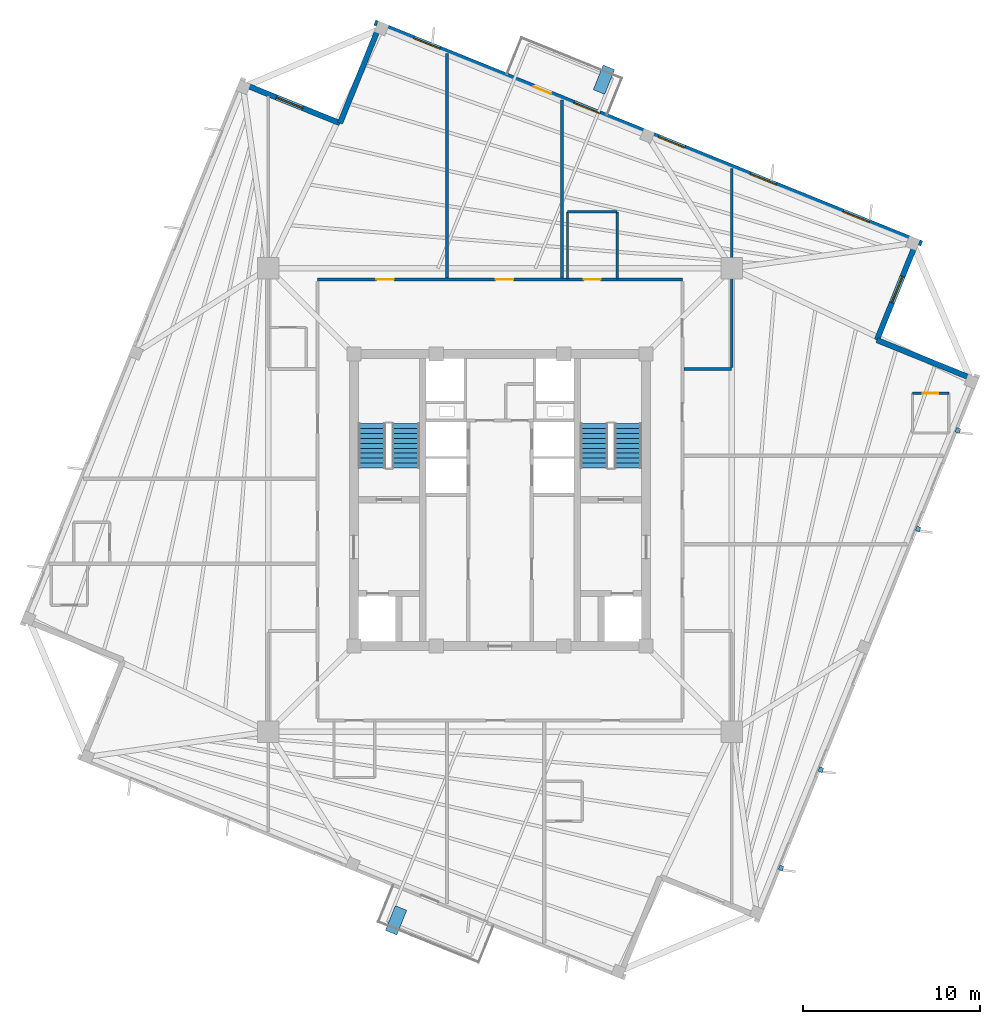
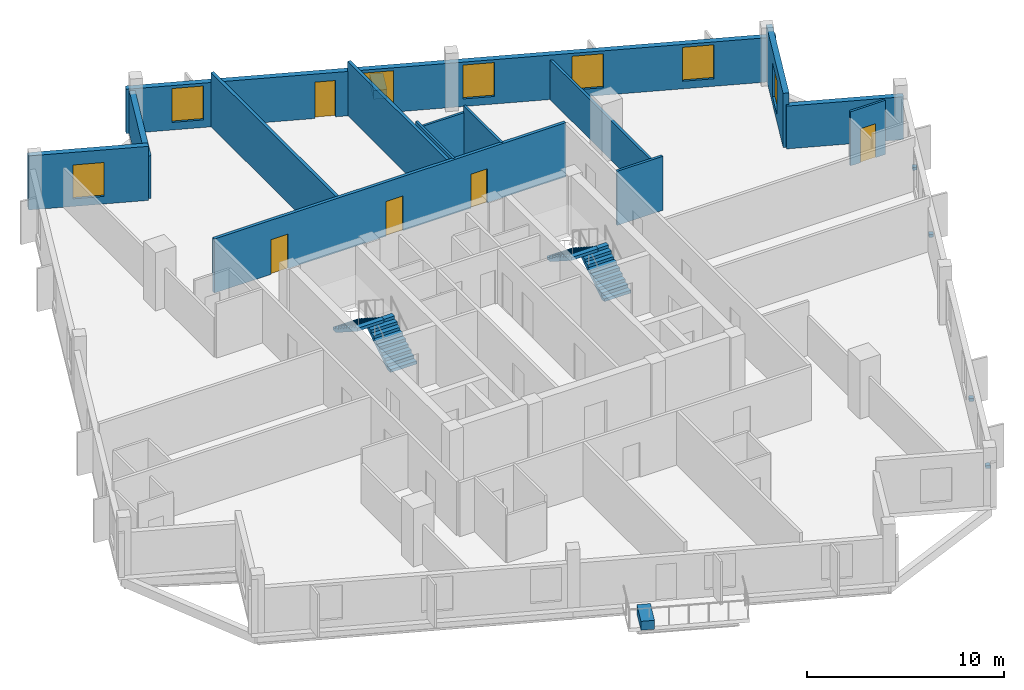
# One storey, part 5 of 8: 14 walls, 7 windows, 6 discrete accessories, 5 doors, 4 stair flights, 12 openings, 2 elements without a shape of their own.
"""IFC4 building model written with IfcOpenShell, lengths in metres."""

from ifc_helpers import new_model, si_unit, direction, frame, frame_2d, origin, origin_2d, place, context, subcontext, project, spatial, polyline, rectangle, outline, extrude, source, transform, mapped, material, layer, layer_set, type_object, element, fill, aggregate, save


model = new_model("IFC4")

# Units and contexts
model_context = context("Model", 3, precision=1e-05, world=origin(), true_north=direction((0.0, 1.0)))
body_context = subcontext(model_context, "Body", "Model", "MODEL_VIEW")
ifc_project = project(units=[si_unit("LENGTHUNIT", "METRE"), si_unit("AREAUNIT", "SQUARE_METRE"), si_unit("VOLUMEUNIT", "CUBIC_METRE"), si_unit("PLANEANGLEUNIT", "RADIAN"), si_unit("MASSUNIT", "GRAM", prefix="KILO"), si_unit("THERMODYNAMICTEMPERATUREUNIT", "KELVIN")], contexts=[model_context])

# Site, building, storey
site_placement = place(None, origin())
site = spatial("IfcSite", under=ifc_project, at=site_placement, CompositionType="ELEMENT")
building_placement = place(site_placement, origin())
building = spatial("IfcBuilding", under=site, at=building_placement, Name="Kosmvard Interchange Tower", CompositionType="ELEMENT")
storey_placement = place(building_placement, frame((0.0, 0.0, 308.39990234375)))
storey = spatial("IfcBuildingStorey", under=building, at=storey_placement, Name="L76", CompositionType="ELEMENT", Elevation=308.39990234375)

# Walls
ifc_material_1 = material(Name="Acoustic gypsum partition system")
ifc_layer_1 = layer(ifc_material_1, 0.14990234375, Name="Acoustic gypsum partition system")
ifc_layer_set_1 = layer_set([ifc_layer_1], Name="Acoustic gypsum partition system")
wall_type_1 = type_object("IfcWallType", Name="Acoustic Suite & Meeting Partition 150", PredefinedType="PARTITIONING", material=ifc_layer_set_1)
wall_1_placement = place(storey_placement, frame((10.39501953125, 7.39990234375, 0.0), z_axis=(0.0, 0.0, 1.0), x_axis=(1.0, 0.0, 0.0)))
element("IfcWall", 1, at=wall_1_placement, inside=storey, type_object=wall_type_1, Name="L76 Room Partition 11.1", PredefinedType="PARTITIONING", context=body_context, shape_type="SweptSolid", body=[
    extrude(rectangle(XDim=2.68603515625, YDim=0.14990234375, at=frame_2d((1.343017578125, 0.0))), origin(), (0.0, 0.0, 1.0), 3.35009765625),
])
wall_2_placement = place(storey_placement, frame((13.0810546875, 7.47509765625, 0.0), z_axis=(0.0, 0.0, 1.0), x_axis=(0.0, 1.0, 0.0)))
element("IfcWall", 2, at=wall_2_placement, inside=storey, type_object=wall_type_1, Name="L76 Room Partition 12.1", PredefinedType="PARTITIONING", context=body_context, shape_type="SweptSolid", body=[
    extrude(rectangle(XDim=11.24267578125, YDim=0.14990234375, at=frame_2d((5.621337890625, 0.0))), origin(), (0.0, 0.0, 1.0), 2.4501953125),
])

# Wall, openings, doors
ifc_material_2 = material(Name="Fire-rated gypsum partition system")
ifc_layer_2 = layer(ifc_material_2, 0.179931640625, Name="Fire-rated gypsum partition system")
ifc_layer_set_2 = layer_set([ifc_layer_2], Name="Fire-rated gypsum partition system")
wall_type_2 = type_object("IfcWallType", Name="Corridor & Hotel Compartment Partition 180", PredefinedType="PARTITIONING", material=ifc_layer_set_2)
wall_3_placement = place(storey_placement, frame((-10.300048828125, 12.449951171875, 0.0), z_axis=(0.0, 0.0, 1.0), x_axis=(1.0, 0.0, 0.0)))
wall_3 = element("IfcWall", 3, at=wall_3_placement, inside=storey, type_object=wall_type_2, Name="L76 Corridor Wall CN", PredefinedType="PARTITIONING", context=body_context, shape_type="SweptSolid", body=[
    extrude(rectangle(XDim=20.60009765625, YDim=0.179931640625, at=frame_2d((10.300048828125, 0.0))), origin(), (0.0, 0.0, 1.0), 3.35009765625),
])
opening_1_placement = place(wall_3_placement, frame((15.0361328125, 0.0, 0.0)))
opening_1 = element("IfcOpeningElement", 4, at=opening_1_placement, cuts=wall_3, Name="Opening L76-D02", PredefinedType="OPENING", context=body_context, shape_type="SweptSolid", body=[
    extrude(rectangle(XDim=0.949951171875, YDim=2.10009765625, at=frame_2d((0.47509765625, 1.050048828125))), frame((0.0, 0.10009765625, 0.0), z_axis=(0.0, -1.0, 0.0), x_axis=(1.0, 0.0, 0.0)), (0.0, 0.0, 1.0), 0.199951171875),
])
opening_2_placement = place(wall_3_placement, frame((3.314453125, 0.0, 0.0)))
opening_2 = element("IfcOpeningElement", 5, at=opening_2_placement, cuts=wall_3, Name="Opening L76-D04", PredefinedType="OPENING", context=body_context, shape_type="SweptSolid", body=[
    extrude(rectangle(XDim=1.0, YDim=2.14990234375, at=frame_2d((0.5, 1.074951171875))), frame((0.0, 0.10009765625, 0.0), z_axis=(0.0, -1.0, 0.0), x_axis=(1.0, 0.0, 0.0)), (0.0, 0.0, 1.0), 0.199951171875),
])
opening_3_placement = place(wall_3_placement, frame((10.050048828125, 0.0, 0.0)))
opening_3 = element("IfcOpeningElement", 6, at=opening_3_placement, cuts=wall_3, Name="Opening L76-D06", PredefinedType="OPENING", context=body_context, shape_type="SweptSolid", body=[
    extrude(rectangle(XDim=1.0, YDim=2.14990234375, at=frame_2d((0.5, 1.074951171875))), frame((0.0, 0.10009765625, 0.0), z_axis=(0.0, -1.0, 0.0), x_axis=(1.0, 0.0, 0.0)), (0.0, 0.0, 1.0), 0.199951171875),
])
ifc_material_3 = material(Name="Laminated moisture-resistant timber", Category="wood")
door_type_1 = type_object("IfcDoorType", Name="Accessible Washroom Door 950x2100", OperationType="NOTDEFINED", PredefinedType="DOOR", material=ifc_material_3)
shared_shape_1 = source(origin(), body_context, "Body", "SweptSolid", [
    extrude(rectangle(XDim=0.949951171875, YDim=2.10009765625, at=frame_2d((0.47509765625, 1.050048828125))), frame((0.0, 0.02490234375, 0.0), z_axis=(0.0, -1.0, 0.0), x_axis=(1.0, 0.0, 0.0)), (0.0, 0.0, 1.0), 0.050048828125),
])
door_1_placement = place(opening_1_placement, origin())
door_1 = element("IfcDoor", 7, at=door_1_placement, inside=storey, type_object=door_type_1, Name="L76 Public Sky Dining Washroom Door", OperationType="SINGLE_SWING_RIGHT", OverallHeight=2.10009765625, OverallWidth=0.949951171875, PredefinedType="DOOR", context=body_context, shape_type="MappedRepresentation", body=[
    mapped(shared_shape_1, transform((0.0, 0.0, 0.0), scale=1.0)),
])
fill(opening_1, door_1)
ifc_material_4 = material(Name="Engineered oak fire-rated timber", Category="wood")
door_type_2 = type_object("IfcDoorType", Name="Hotel Guestroom Entrance Door 1000x2150 EI60", OperationType="NOTDEFINED", PredefinedType="DOOR", material=ifc_material_4)
shared_shape_2 = source(origin(), body_context, "Body", "SweptSolid", [
    extrude(rectangle(XDim=1.0, YDim=2.14990234375, at=frame_2d((0.5, 1.074951171875))), frame((0.0, 0.02490234375, 0.0), z_axis=(0.0, -1.0, 0.0), x_axis=(1.0, 0.0, 0.0)), (0.0, 0.0, 1.0), 0.050048828125),
])
door_2_placement = place(opening_2_placement, origin())
door_2 = element("IfcDoor", 8, at=door_2_placement, inside=storey, type_object=door_type_2, Name="L76 Hotel Presidential Suite 1 Door", OperationType="SINGLE_SWING_RIGHT", OverallHeight=2.14990234375, OverallWidth=1.0, PredefinedType="DOOR", context=body_context, shape_type="MappedRepresentation", body=[
    mapped(shared_shape_2, transform((0.0, 0.0, 0.0), scale=1.0)),
])
fill(opening_2, door_2)
door_3_placement = place(opening_3_placement, origin())
door_3 = element("IfcDoor", 9, at=door_3_placement, inside=storey, type_object=door_type_2, Name="L76 Hotel Sky Champagne Lounge Door", OperationType="SINGLE_SWING_RIGHT", OverallHeight=2.14990234375, OverallWidth=1.0, PredefinedType="DOOR", context=body_context, shape_type="MappedRepresentation", body=[
    mapped(shared_shape_2, transform((0.0, 0.0, 0.0), scale=1.0)),
])
fill(opening_3, door_3)

# Walls
wall_4_placement = place(storey_placement, frame((-3.0, 12.544921875, 0.0), z_axis=(0.0, 0.0, 1.0), x_axis=(0.0, 1.0, 0.0)))
element("IfcWall", 10, at=wall_4_placement, inside=storey, type_object=wall_type_2, Name="L76 Room Partition 01.1", PredefinedType="PARTITIONING", context=body_context, shape_type="SweptSolid", body=[
    extrude(rectangle(XDim=12.669921875, YDim=0.179931640625, at=frame_2d((6.3349609375, 0.0))), origin(), (0.0, 0.0, 1.0), 3.35009765625),
])
wall_5_placement = place(storey_placement, frame((3.5, 12.544921875, 0.0), z_axis=(0.0, 0.0, 1.0), x_axis=(0.0, 1.0, 0.0)))
element("IfcWall", 11, at=wall_5_placement, inside=storey, type_object=wall_type_2, Name="L76 Room Partition 02.1", PredefinedType="PARTITIONING", context=body_context, shape_type="SweptSolid", body=[
    extrude(rectangle(XDim=10.043701171875, YDim=0.179931640625, at=frame_2d((5.02197265625, 0.0))), origin(), (0.0, 0.0, 1.0), 3.35009765625),
])
ifc_material_5 = material(Name="Precast concrete C45/55", Category="concrete")
ifc_layer_3 = layer(ifc_material_5, 0.31005859375, Name="Precast concrete C45/55")
ifc_layer_set_3 = layer_set([ifc_layer_3], Name="Precast concrete C45/55")
wall_type_3 = type_object("IfcWallType", Name="Upper Tower Precast Pier Wall 310 C45/55", PredefinedType="STANDARD", material=ifc_layer_set_3)
wall_6_placement = place(storey_placement, frame((26.8408203125, 6.7841796875, 0.0), z_axis=(0.0, 0.0, 1.0), x_axis=(-0.927171722085, 0.374636620962, 0.0)))
element("IfcWall", 12, at=wall_6_placement, inside=storey, type_object=wall_type_3, Name="L76 Precast Facade Wall N-SE1", PredefinedType="STANDARD", context=body_context, shape_type="SweptSolid", body=[
    extrude(rectangle(XDim=6.0, YDim=0.31005859375, at=frame_2d((3.0, 0.0))), origin(), (0.0, 0.0, 1.0), 2.650146484375),
])

# Wall, opening, window
wall_7_placement = place(storey_placement, frame((21.27783203125, 9.031982421875, 0.0), z_axis=(0.0, 0.0, 1.0), x_axis=(0.374602739196, 0.927185411764, 0.0)))
wall_7 = element("IfcWall", 13, at=wall_7_placement, inside=storey, type_object=wall_type_3, Name="L76 Precast Facade Wall N-SE2", PredefinedType="STANDARD", context=body_context, shape_type="SweptSolid", body=[
    extrude(rectangle(XDim=6.155029296875, YDim=0.31005859375, at=frame_2d((3.07763671875, 0.0))), origin(), (0.0, 0.0, 1.0), 3.35009765625),
])
opening_4_placement = place(wall_7_placement, frame((2.277587890625, 0.0, 0.469970703125)))
opening_4 = element("IfcOpeningElement", 14, at=opening_4_placement, cuts=wall_7, Name="Opening L76-W21", PredefinedType="OPENING", context=body_context, shape_type="SweptSolid", body=[
    extrude(rectangle(XDim=1.60009765625, YDim=2.10009765625, at=frame_2d((0.800048828125, 1.050048828125))), frame((0.0, 0.1650390625, 0.0), z_axis=(0.0, -1.0, 0.0), x_axis=(1.0, 0.0, 0.0)), (0.0, 0.0, 1.0), 0.330078125),
])
ifc_material_6 = material(Name="Low-E acoustic double glazing", Category="glass")
window_type = type_object("IfcWindowType", Name="Zone 5 Hotel Punched Window 1600x2100", PartitioningType="SINGLE_PANEL", PredefinedType="WINDOW", material=ifc_material_6)
shared_shape_3 = source(origin(), body_context, "Body", "SweptSolid", [
    extrude(rectangle(XDim=1.60009765625, YDim=2.10009765625, at=frame_2d((0.800048828125, 1.050048828125))), frame((0.0, 0.030029296875, 0.0), z_axis=(0.0, -1.0, 0.0), x_axis=(1.0, 0.0, 0.0)), (0.0, 0.0, 1.0), 0.06005859375),
])
window_1_placement = place(opening_4_placement, origin())
window_1 = element("IfcWindow", 15, at=window_1_placement, inside=storey, type_object=window_type, Name="L76 Corner Notch Window 21", OverallHeight=2.10009765625, OverallWidth=1.60009765625, PartitioningType="SINGLE_PANEL", PredefinedType="WINDOW", context=body_context, shape_type="MappedRepresentation", body=[
    mapped(shared_shape_3, transform((0.0, 0.0, 0.0), scale=1.0)),
])
fill(opening_4, window_1)

# Wall, openings, door, windows
wall_8_placement = place(storey_placement, frame((23.812744140625, 14.478759765625, 0.0), z_axis=(0.0, 0.0, 1.0), x_axis=(-0.927182657188, 0.374609557019, 0.0)))
wall_8 = element("IfcWall", 16, at=wall_8_placement, inside=storey, type_object=wall_type_3, Name="L76 Precast Facade Wall F-E", PredefinedType="STANDARD", context=body_context, shape_type="SweptSolid", body=[
    extrude(rectangle(XDim=33.31005859375, YDim=0.31005859375, at=frame_2d((16.655029296875, 0.0))), origin(), (0.0, 0.0, 1.0), 2.75),
])
opening_5_placement = place(wall_8_placement, frame((22.580078125, 0.0, 0.0)))
opening_5 = element("IfcOpeningElement", 17, at=opening_5_placement, cuts=wall_8, Name="Opening L76-BDE", PredefinedType="OPENING", context=body_context, shape_type="SweptSolid", body=[
    extrude(rectangle(XDim=1.050048828125, YDim=2.25, at=frame_2d((0.52490234375, 1.125))), frame((0.0, 0.1650390625, 0.0), z_axis=(0.0, -1.0, 0.0), x_axis=(1.0, 0.0, 0.0)), (0.0, 0.0, 1.0), 0.330078125),
])
opening_6_placement = place(wall_8_placement, frame((3.197265625, 0.0, 0.469970703125)))
opening_6 = element("IfcOpeningElement", 18, at=opening_6_placement, cuts=wall_8, Name="Opening L76-W06", PredefinedType="OPENING", context=body_context, shape_type="SweptSolid", body=[
    extrude(rectangle(XDim=1.60009765625, YDim=2.10009765625, at=frame_2d((0.800048828125, 1.050048828125))), frame((0.0, 0.1650390625, 0.0), z_axis=(0.0, -1.0, 0.0), x_axis=(1.0, 0.0, 0.0)), (0.0, 0.0, 1.0), 0.330078125),
])
opening_7_placement = place(wall_8_placement, frame((8.85986328125, 0.0, 0.469970703125)))
opening_7 = element("IfcOpeningElement", 19, at=opening_7_placement, cuts=wall_8, Name="Opening L76-W07", PredefinedType="OPENING", context=body_context, shape_type="SweptSolid", body=[
    extrude(rectangle(XDim=1.60009765625, YDim=2.10009765625, at=frame_2d((0.800048828125, 1.050048828125))), frame((0.0, 0.1650390625, 0.0), z_axis=(0.0, -1.0, 0.0), x_axis=(1.0, 0.0, 0.0)), (0.0, 0.0, 1.0), 0.330078125),
])
opening_8_placement = place(wall_8_placement, frame((14.438720703125, 0.0, 0.469970703125)))
opening_8 = element("IfcOpeningElement", 20, at=opening_8_placement, cuts=wall_8, Name="Opening L76-W08", PredefinedType="OPENING", context=body_context, shape_type="SweptSolid", body=[
    extrude(rectangle(XDim=1.60009765625, YDim=2.10009765625, at=frame_2d((0.800048828125, 1.050048828125))), frame((0.0, 0.1650390625, 0.0), z_axis=(0.0, -1.0, 0.0), x_axis=(1.0, 0.0, 0.0)), (0.0, 0.0, 1.0), 0.330078125),
])
opening_9_placement = place(wall_8_placement, frame((19.600830078125, 0.0, 0.469970703125)))
opening_9 = element("IfcOpeningElement", 21, at=opening_9_placement, cuts=wall_8, Name="Opening L76-W09", PredefinedType="OPENING", context=body_context, shape_type="SweptSolid", body=[
    extrude(rectangle(XDim=1.60009765625, YDim=2.10009765625, at=frame_2d((0.800048828125, 1.050048828125))), frame((0.0, 0.1650390625, 0.0), z_axis=(0.0, -1.0, 0.0), x_axis=(1.0, 0.0, 0.0)), (0.0, 0.0, 1.0), 0.330078125),
])
opening_10_placement = place(wall_8_placement, frame((29.3466796875, 0.0, 0.469970703125)))
opening_10 = element("IfcOpeningElement", 22, at=opening_10_placement, cuts=wall_8, Name="Opening L76-W10", PredefinedType="OPENING", context=body_context, shape_type="SweptSolid", body=[
    extrude(rectangle(XDim=1.60009765625, YDim=2.10009765625, at=frame_2d((0.800048828125, 1.050048828125))), frame((0.0, 0.1650390625, 0.0), z_axis=(0.0, -1.0, 0.0), x_axis=(1.0, 0.0, 0.0)), (0.0, 0.0, 1.0), 0.330078125),
])
ifc_material_7 = material(Name="Anodised aluminium and safety glass", Category="aluminium")
door_type_3 = type_object("IfcDoorType", Name="Tree-Balcony Glazed Door 1050x2250", OperationType="NOTDEFINED", PredefinedType="DOOR", material=ifc_material_7)
shared_shape_4 = source(origin(), body_context, "Body", "SweptSolid", [
    extrude(rectangle(XDim=1.050048828125, YDim=2.25, at=frame_2d((0.52490234375, 1.125))), frame((0.0, 0.02490234375, 0.0), z_axis=(0.0, -1.0, 0.0), x_axis=(1.0, 0.0, 0.0)), (0.0, 0.0, 1.0), 0.050048828125),
])
door_4_placement = place(opening_5_placement, origin())
door_4 = element("IfcDoor", 23, at=door_4_placement, inside=storey, type_object=door_type_3, Name="L76 Tree-Balcony Door BAL-L76-E", OperationType="SINGLE_SWING_LEFT", OverallHeight=2.25, OverallWidth=1.050048828125, PredefinedType="DOOR", context=body_context, shape_type="MappedRepresentation", body=[
    mapped(shared_shape_4, transform((0.0, 0.0, 0.0), scale=1.0)),
])
fill(opening_5, door_4)
window_2_placement = place(opening_6_placement, origin())
window_2 = element("IfcWindow", 24, at=window_2_placement, inside=storey, type_object=window_type, Name="L76 Facade Punched Window 06", OverallHeight=2.10009765625, OverallWidth=1.60009765625, PartitioningType="SINGLE_PANEL", PredefinedType="WINDOW", context=body_context, shape_type="MappedRepresentation", body=[
    mapped(shared_shape_3, transform((0.0, 0.0, 0.0), scale=1.0)),
])
fill(opening_6, window_2)
window_3_placement = place(opening_7_placement, origin())
window_3 = element("IfcWindow", 25, at=window_3_placement, inside=storey, type_object=window_type, Name="L76 Facade Punched Window 07", OverallHeight=2.10009765625, OverallWidth=1.60009765625, PartitioningType="SINGLE_PANEL", PredefinedType="WINDOW", context=body_context, shape_type="MappedRepresentation", body=[
    mapped(shared_shape_3, transform((0.0, 0.0, 0.0), scale=1.0)),
])
fill(opening_7, window_3)
window_4_placement = place(opening_8_placement, origin())
window_4 = element("IfcWindow", 26, at=window_4_placement, inside=storey, type_object=window_type, Name="L76 Facade Punched Window 08", OverallHeight=2.10009765625, OverallWidth=1.60009765625, PartitioningType="SINGLE_PANEL", PredefinedType="WINDOW", context=body_context, shape_type="MappedRepresentation", body=[
    mapped(shared_shape_3, transform((0.0, 0.0, 0.0), scale=1.0)),
])
fill(opening_8, window_4)
window_5_placement = place(opening_9_placement, origin())
window_5 = element("IfcWindow", 27, at=window_5_placement, inside=storey, type_object=window_type, Name="L76 Facade Punched Window 09", OverallHeight=2.10009765625, OverallWidth=1.60009765625, PartitioningType="SINGLE_PANEL", PredefinedType="WINDOW", context=body_context, shape_type="MappedRepresentation", body=[
    mapped(shared_shape_3, transform((0.0, 0.0, 0.0), scale=1.0)),
])
fill(opening_9, window_5)
window_6_placement = place(opening_10_placement, origin())
window_6 = element("IfcWindow", 28, at=window_6_placement, inside=storey, type_object=window_type, Name="L76 Facade Punched Window 10", OverallHeight=2.10009765625, OverallWidth=1.60009765625, PartitioningType="SINGLE_PANEL", PredefinedType="WINDOW", context=body_context, shape_type="MappedRepresentation", body=[
    mapped(shared_shape_3, transform((0.0, 0.0, 0.0), scale=1.0)),
])
fill(opening_10, window_6)

# Wall
wall_9_placement = place(storey_placement, frame((-6.7841796875, 26.8408203125, 0.0), z_axis=(0.0, 0.0, 1.0), x_axis=(-0.374636620962, -0.927171722085, 0.0)))
element("IfcWall", 29, at=wall_9_placement, inside=storey, type_object=wall_type_3, Name="L76 Precast Facade Wall N-NE1", PredefinedType="STANDARD", context=body_context, shape_type="SweptSolid", body=[
    extrude(rectangle(XDim=6.0, YDim=0.31005859375, at=frame_2d((3.0, 0.0))), origin(), (0.0, 0.0, 1.0), 2.650146484375),
])

# Wall, opening, window
wall_10_placement = place(storey_placement, frame((-9.031982421875, 21.27783203125, 0.0), z_axis=(0.0, 0.0, 1.0), x_axis=(-0.927185411764, 0.374602739196, 0.0)))
wall_10 = element("IfcWall", 30, at=wall_10_placement, inside=storey, type_object=wall_type_3, Name="L76 Precast Facade Wall N-NE2", PredefinedType="STANDARD", context=body_context, shape_type="SweptSolid", body=[
    extrude(rectangle(XDim=6.155029296875, YDim=0.31005859375, at=frame_2d((3.07763671875, 0.0))), origin(), (0.0, 0.0, 1.0), 3.35009765625),
])
opening_11_placement = place(wall_10_placement, frame((2.277587890625, 0.0, 0.469970703125)))
opening_11 = element("IfcOpeningElement", 31, at=opening_11_placement, cuts=wall_10, Name="Opening L76-W22", PredefinedType="OPENING", context=body_context, shape_type="SweptSolid", body=[
    extrude(rectangle(XDim=1.60009765625, YDim=2.10009765625, at=frame_2d((0.800048828125, 1.050048828125))), frame((0.0, 0.1650390625, 0.0), z_axis=(0.0, -1.0, 0.0), x_axis=(1.0, 0.0, 0.0)), (0.0, 0.0, 1.0), 0.330078125),
])
window_7_placement = place(opening_11_placement, origin())
window_7 = element("IfcWindow", 32, at=window_7_placement, inside=storey, type_object=window_type, Name="L76 Corner Notch Window 22", OverallHeight=2.10009765625, OverallWidth=1.60009765625, PartitioningType="SINGLE_PANEL", PredefinedType="WINDOW", context=body_context, shape_type="MappedRepresentation", body=[
    mapped(shared_shape_3, transform((0.0, 0.0, 0.0), scale=1.0)),
])
fill(opening_11, window_7)

# Walls
ifc_material_8 = material(Name="Moisture-resistant gypsum partition")
ifc_layer_4 = layer(ifc_material_8, 0.135009765625, Name="Moisture-resistant gypsum partition")
ifc_layer_set_4 = layer_set([ifc_layer_4], Name="Moisture-resistant gypsum partition")
wall_type_4 = type_object("IfcWallType", Name="Wet Room Moisture-Resistant Partition 135", PredefinedType="PARTITIONING", material=ifc_layer_set_4)
wall_11_placement = place(storey_placement, frame((6.611083984375, 12.469970703125, 0.0), z_axis=(0.0, 0.0, 1.0), x_axis=(0.0, 1.0, 0.0)))
element("IfcWall", 33, at=wall_11_placement, inside=storey, type_object=wall_type_4, Name="L76 Washroom Partition HWC1-E", PredefinedType="PARTITIONING", context=body_context, shape_type="SweptSolid", body=[
    extrude(rectangle(XDim=3.800048828125, YDim=0.135009765625, at=frame_2d((1.89990234375, 0.0))), origin(), (0.0, 0.0, 1.0), 3.35009765625),
])
wall_12_placement = place(storey_placement, frame((3.81103515625, 16.27001953125, 0.0), z_axis=(0.0, 0.0, 1.0), x_axis=(1.0, 0.0, 0.0)))
element("IfcWall", 34, at=wall_12_placement, inside=storey, type_object=wall_type_4, Name="L76 Washroom Partition HWC1-N", PredefinedType="PARTITIONING", context=body_context, shape_type="SweptSolid", body=[
    extrude(rectangle(XDim=2.800048828125, YDim=0.135009765625, at=frame_2d((1.39990234375, 0.0))), origin(), (0.0, 0.0, 1.0), 2.9501953125),
])
wall_13_placement = place(storey_placement, frame((3.81103515625, 12.469970703125, 0.0), z_axis=(0.0, 0.0, 1.0), x_axis=(0.0, 1.0, 0.0)))
element("IfcWall", 35, at=wall_13_placement, inside=storey, type_object=wall_type_4, Name="L76 Washroom Partition HWC1-W", PredefinedType="PARTITIONING", context=body_context, shape_type="SweptSolid", body=[
    extrude(rectangle(XDim=3.800048828125, YDim=0.135009765625, at=frame_2d((1.89990234375, 0.0))), origin(), (0.0, 0.0, 1.0), 3.35009765625),
])

# Wall, opening, door
wall_14_placement = place(storey_placement, frame((23.29150390625, 6.030029296875, 0.0), z_axis=(0.0, 0.0, 1.0), x_axis=(1.0, 0.0, 0.0)))
wall_14 = element("IfcWall", 36, at=wall_14_placement, inside=storey, type_object=wall_type_4, Name="L76 En-Suite Partition HPR2-N", PredefinedType="PARTITIONING", context=body_context, shape_type="SweptSolid", body=[
    extrude(rectangle(XDim=2.050048828125, YDim=0.135009765625, at=frame_2d((1.02490234375, 0.0))), origin(), (0.0, 0.0, 1.0), 3.35009765625),
])
opening_12_placement = place(wall_14_placement, frame((0.5849609375, 0.0, 0.0)))
opening_12 = element("IfcOpeningElement", 37, at=opening_12_placement, cuts=wall_14, Name="Opening L76-ED09", PredefinedType="OPENING", context=body_context, shape_type="SweptSolid", body=[
    extrude(rectangle(XDim=0.8798828125, YDim=2.10009765625, at=frame_2d((0.43994140625, 1.050048828125))), frame((0.0, 0.07763671875, 0.0), z_axis=(0.0, -1.0, 0.0), x_axis=(1.0, 0.0, 0.0)), (0.0, 0.0, 1.0), 0.155029296875),
])
door_type_4 = type_object("IfcDoorType", Name="En-Suite & Washroom Door 880x2100", OperationType="NOTDEFINED", PredefinedType="DOOR", material=ifc_material_3)
shared_shape_5 = source(origin(), body_context, "Body", "SweptSolid", [
    extrude(rectangle(XDim=0.8798828125, YDim=2.10009765625, at=frame_2d((0.43994140625, 1.050048828125))), frame((0.0, 0.02490234375, 0.0), z_axis=(0.0, -1.0, 0.0), x_axis=(1.0, 0.0, 0.0)), (0.0, 0.0, 1.0), 0.050048828125),
])
door_5_placement = place(opening_12_placement, frame((0.8798828125, 0.0, 0.0), z_axis=(0.0, 0.0, 1.0), x_axis=(-1.0, 0.0, 0.0)))
door_5 = element("IfcDoor", 38, at=door_5_placement, inside=storey, type_object=door_type_4, Name="L76 HPR2 En-Suite Door", OperationType="SINGLE_SWING_RIGHT", OverallHeight=2.10009765625, OverallWidth=0.8798828125, PredefinedType="DOOR", context=body_context, shape_type="MappedRepresentation", body=[
    mapped(shared_shape_5, transform((0.0, 0.0, 0.0), scale=1.0)),
])
fill(opening_12, door_5)

# Stair, stair flights
ifc_material_9 = material(Name="Concrete C50/60", Category="concrete")
stair_type = type_object("IfcStairType", Name="Dog-Leg Core Exit Stair H3600 C50/60", PredefinedType="HALF_TURN_STAIR", material=ifc_material_9)
stair_1_placement = place(storey_placement, origin())
stair_1 = element("IfcStair", 39, at=stair_1_placement, inside=storey, type_object=stair_type, Name="L76 Protected Exit Stair ST-1", PredefinedType="HALF_TURN_STAIR")
stair_flight_type = type_object("IfcStairFlightType", Name="Core Stair Flight W1550 H3600 C50/60", PredefinedType="STRAIGHT", material=ifc_material_9)
shared_shape_6 = source(origin(), body_context, "Body", "SweptSolid", [
    extrude(outline(polyline([(0.0, 0.0), (0.0, 0.179931640625), (0.280029296875, 0.179931640625), (0.280029296875, 0.360107421875), (0.56005859375, 0.360107421875), (0.56005859375, 0.5400390625), (0.840087890625, 0.5400390625), (0.840087890625, 0.719970703125), (1.1201171875, 0.719970703125), (1.1201171875, 0.89990234375), (1.39990234375, 0.89990234375), (1.39990234375, 1.080078125), (1.679931640625, 1.080078125), (1.679931640625, 1.260009765625), (1.9599609375, 1.260009765625), (1.9599609375, 1.43994140625), (2.239990234375, 1.43994140625), (2.239990234375, 1.6201171875), (2.52001953125, 1.6201171875), (2.52001953125, 1.800048828125), (2.52001953125, 1.429931640625), (0.295654296875, 0.0), (0.0, 0.0)])), frame((0.0, 0.77490234375, 0.0), z_axis=(0.0, -1.0, 0.0), x_axis=(1.0, 0.0, 0.0)), (0.0, 0.0, 1.0), 1.550048828125),
])
stair_flight_1_placement = place(storey_placement, frame((-5.31494140625, 1.800048828125, 0.0), z_axis=(0.0, 0.0, 1.0), x_axis=(0.0, 1.0, 0.0)))
stair_flight_1 = element("IfcStairFlight", 40, at=stair_flight_1_placement, type_object=stair_flight_type, Name="ST-1 flight 1", NumberOfRisers=10, NumberOfTreads=9, PredefinedType="STRAIGHT", RiserHeight=0.18, TreadLength=0.28, context=body_context, shape_type="MappedRepresentation", body=[
    mapped(shared_shape_6, transform((0.0, 0.0, 0.0), scale=1.0)),
])
stair_flight_2_placement = place(storey_placement, frame((-7.22509765625, 4.320068359375, 1.800048828125), z_axis=(0.0, 0.0, 1.0), x_axis=(0.0, -1.0, 0.0)))
stair_flight_2 = element("IfcStairFlight", 41, at=stair_flight_2_placement, type_object=stair_flight_type, Name="ST-1 flight 2", NumberOfRisers=10, NumberOfTreads=9, PredefinedType="STRAIGHT", RiserHeight=0.18, TreadLength=0.28, context=body_context, shape_type="MappedRepresentation", body=[
    mapped(shared_shape_6, transform((0.0, 0.0, 0.0), scale=1.0)),
])
aggregate(stair_1, [stair_flight_1, stair_flight_2])

stair_2_placement = place(storey_placement, origin())
stair_2 = element("IfcStair", 42, at=stair_2_placement, inside=storey, type_object=stair_type, Name="L76 Protected Exit Stair ST-2", PredefinedType="HALF_TURN_STAIR")
stair_flight_3_placement = place(storey_placement, frame((7.22509765625, 1.800048828125, 0.0), z_axis=(0.0, 0.0, 1.0), x_axis=(0.0, 1.0, 0.0)))
stair_flight_3 = element("IfcStairFlight", 43, at=stair_flight_3_placement, type_object=stair_flight_type, Name="ST-2 flight 1", NumberOfRisers=10, NumberOfTreads=9, PredefinedType="STRAIGHT", RiserHeight=0.18, TreadLength=0.28, context=body_context, shape_type="MappedRepresentation", body=[
    mapped(shared_shape_6, transform((0.0, 0.0, 0.0), scale=1.0)),
])
stair_flight_4_placement = place(storey_placement, frame((5.31494140625, 4.320068359375, 1.800048828125), z_axis=(0.0, 0.0, 1.0), x_axis=(0.0, -1.0, 0.0)))
stair_flight_4 = element("IfcStairFlight", 44, at=stair_flight_4_placement, type_object=stair_flight_type, Name="ST-2 flight 2", NumberOfRisers=10, NumberOfTreads=9, PredefinedType="STRAIGHT", RiserHeight=0.18, TreadLength=0.28, context=body_context, shape_type="MappedRepresentation", body=[
    mapped(shared_shape_6, transform((0.0, 0.0, 0.0), scale=1.0)),
])
aggregate(stair_2, [stair_flight_3, stair_flight_4])

# Discrete accessories
ifc_material_10 = material(Name="Terracotta precast planter concrete C45/55", Category="masonry")
discrete_accessory_type_1 = type_object("IfcDiscreteAccessoryType", Name="Precast Tree-Balcony & Terrace Planter Box", PredefinedType="USERDEFINED", material=ifc_material_10)
shared_shape_7 = source(origin(), body_context, "Body", "SweptSolid", [
    extrude(rectangle(XDim=1.5, YDim=0.699951171875, at=origin_2d()), origin(), (0.0, 0.0, 1.0), 0.550048828125),
])
for number, where, z_axis, x_axis, name in (
    (45, (5.86669921875, 23.730224609375, 0.0), (0.0, 0.0, 1.0), (0.374606593416, 0.927183854567, 0.0), "L76 Balcony Tree Planter BAL-L76-E"),
    (46, (-5.86669921875, -23.730224609375, 0.0), (0.0, 0.0, 1.0), (0.374606593416, 0.927183854567, 0.0), "L76 Balcony Tree Planter BAL-L76-W"),
):
    element("IfcDiscreteAccessory", number, at=place(storey_placement, frame(where, z_axis=z_axis, x_axis=x_axis)), inside=storey, type_object=discrete_accessory_type_1, Name=name, ObjectType="PLANTER", PredefinedType="USERDEFINED", context=body_context, shape_type="MappedRepresentation", body=[
        mapped(shared_shape_7, transform((0.0, 0.0, 0.0), scale=1.0)),
    ])
ifc_material_11 = material(Name="Steel S355", Category="steel")
discrete_accessory_type_2 = type_object("IfcDiscreteAccessoryType", Name="Facade Fin Structural Cleat Bracket", PredefinedType="BRACKET", material=ifc_material_11)
shared_shape_8 = source(origin(), body_context, "Body", "SweptSolid", [
    extrude(rectangle(XDim=0.239990234375, YDim=0.260009765625, at=origin_2d()), origin(), (0.0, 0.0, 1.0), 0.179931640625),
])
for number, where, z_axis, x_axis, name in (
    (47, (15.870361328125, -20.782470703125, 0.16015625), (0.0, 0.0, 1.0), (0.927183733755, -0.374606892434, 0.0), "L76 Sun-Breaker Anchor Bracket 01"),
    (48, (18.116455078125, -15.22314453125, 0.16015625), (0.0, 0.0, 1.0), (0.927183733755, -0.374606892434, 0.0), "L76 Sun-Breaker Anchor Bracket 02"),
    (49, (23.60693359375, -1.634033203125, 0.16015625), (0.0, 0.0, 1.0), (0.927183733755, -0.374606892434, 0.0), "L76 Sun-Breaker Anchor Bracket 03"),
    (50, (25.852783203125, 3.925048828125, 0.16015625), (0.0, 0.0, 1.0), (0.927183733755, -0.374606892434, 0.0), "L76 Sun-Breaker Anchor Bracket 04"),
):
    element("IfcDiscreteAccessory", number, at=place(storey_placement, frame(where, z_axis=z_axis, x_axis=x_axis)), inside=storey, type_object=discrete_accessory_type_2, Name=name, PredefinedType="BRACKET", context=body_context, shape_type="MappedRepresentation", body=[
        mapped(shared_shape_8, transform((0.0, 0.0, 0.0), scale=1.0)),
    ])

save(model, "model.ifc")
